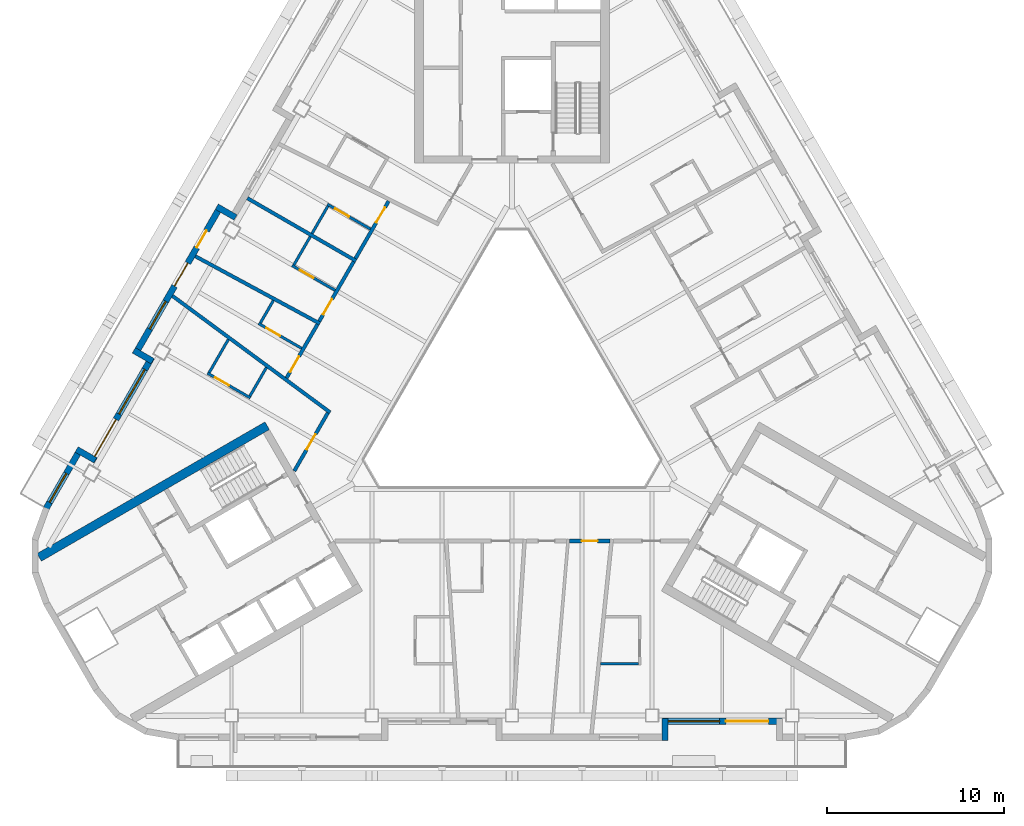
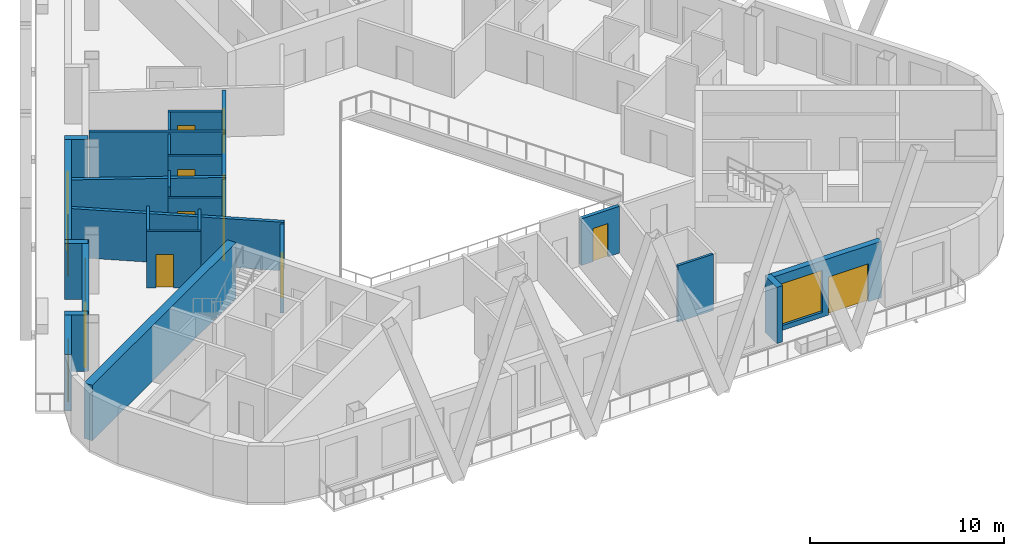
# One storey, part 4 of 14: 27 walls, 13 doors, 4 windows, 17 openings.
"""IFC4 building model written with IfcOpenShell, lengths in metres."""

import ifcopenshell
import ifcopenshell.guid

model = None  # the IFC model being written
_history = None  # IfcOwnerHistory: only IFC2X3 demands one
_inside = {}  # id of a spatial element -> (the spatial element, [elements in it])
_under = {}  # id of a project, library or spatial element -> (it, [spatial elements below it])
_declared = {}  # id of a project -> (the project, [libraries it declares])
_typed = {}  # id of a type object -> (the type object, [elements of that type])
_made_of = {}  # id of a material, layer set ... -> (it, [elements and type objects made of it])


def new_model(schema):
    """Start an empty IFC model of exactly this schema.

    Asked for "IFC4X3", IfcOpenShell would pick the latest addendum, in which some entities
    have other attributes; the version numbers below select the first issue.
    IFC2X3 requires an IfcOwnerHistory on every rooted entity: one is made here for all.
    """
    global model, _history
    if schema == "IFC4X3":
        model = ifcopenshell.file(schema_version=(4, 3, 0, 0))
    else:
        model = ifcopenshell.file(schema=schema)
    _inside.clear()
    _under.clear()
    _declared.clear()
    _typed.clear()
    _made_of.clear()
    _history = None
    if model.schema == "IFC2X3":
        org = make("IfcOrganization", Name="unknown")
        user = make(
            "IfcPersonAndOrganization",
            ThePerson=make("IfcPerson", FamilyName="unknown"),
            TheOrganization=org,
        )
        app = make(
            "IfcApplication",
            ApplicationDeveloper=org,
            Version="unknown",
            ApplicationFullName="unknown",
            ApplicationIdentifier="unknown",
        )
        _history = make(
            "IfcOwnerHistory",
            OwningUser=user,
            OwningApplication=app,
            ChangeAction="ADDED",
            CreationDate=0,
        )
    return model


def make(cls, **values):
    """One entity of the class cls with the attributes given. An attribute that is None is left unset."""
    return model.create_entity(
        cls, **{name: value for name, value in values.items() if value is not None}
    )


def rooted(cls, **values):
    """An entity with a GlobalId (a new one), such as an element, a storey or a relation."""
    return make(cls, GlobalId=ifcopenshell.guid.new(), OwnerHistory=_history, **values)


def si_unit(unit_type, name, prefix=None):
    """IfcSIUnit, for example si_unit("LENGTHUNIT", "METRE", prefix="MILLI")."""
    return make("IfcSIUnit", UnitType=unit_type, Prefix=prefix, Name=name)


def assignment(units):
    """IfcUnitAssignment: the units of a project."""
    return None if units is None else make("IfcUnitAssignment", Units=units)


def point(xyz):
    """IfcCartesianPoint."""
    return None if xyz is None else make("IfcCartesianPoint", Coordinates=xyz)


def direction(xyz):
    """IfcDirection."""
    return None if xyz is None else make("IfcDirection", DirectionRatios=xyz)


def frame(location, z_axis=None, x_axis=None):
    """IfcAxis2Placement3D, a coordinate frame: its origin and axes. An axis left out is left unset."""
    return make(
        "IfcAxis2Placement3D",
        Location=point(location),
        Axis=direction(z_axis),
        RefDirection=direction(x_axis),
    )


def frame_2d(location, x_axis=None):
    """IfcAxis2Placement2D, a coordinate frame in the plane: its origin and x axis."""
    return make(
        "IfcAxis2Placement2D", Location=point(location), RefDirection=direction(x_axis)
    )


def origin():
    """The frame at (0, 0, 0) with its axes left unset."""
    return frame((0.0, 0.0, 0.0))


def place(relative_to, where):
    """IfcLocalPlacement: puts the frame where relative to a parent placement (None: the world)."""
    return make(
        "IfcLocalPlacement", PlacementRelTo=relative_to, RelativePlacement=where
    )


def context(
    kind, dimensions, precision=None, world=None, true_north=None, identifier=None
):
    """IfcGeometricRepresentationContext, for example the 3D "Model" context."""
    return make(
        "IfcGeometricRepresentationContext",
        ContextIdentifier=identifier,
        ContextType=kind,
        CoordinateSpaceDimension=dimensions,
        Precision=precision,
        WorldCoordinateSystem=world,
        TrueNorth=true_north,
    )


def subcontext(parent, identifier, kind, view, scale=None):
    """IfcGeometricRepresentationSubContext, for example "Body" below "Model"."""
    return make(
        "IfcGeometricRepresentationSubContext",
        ContextIdentifier=identifier,
        ContextType=kind,
        ParentContext=parent,
        TargetScale=scale,
        TargetView=view,
    )


def project(units=None, contexts=None):
    """IfcProject with its units and contexts."""
    return rooted(
        "IfcProject",
        Name="project",
        RepresentationContexts=contexts,
        UnitsInContext=assignment(units),
    )


def spatial(cls, under=None, at=None, **own):
    """A site, building, storey or space (cls), placed at a placement, below another one or the project."""
    s = rooted(cls, ObjectPlacement=at, **own)
    if under is not None:
        _under.setdefault(under.id(), (under, []))[1].append(s)
    return s


def profile(cls, at=None, kind="AREA", **sizes):
    """A parametric profile (cls). Its sizes go by their IFC names, for example OverallWidth=200.0."""
    return make(cls, ProfileType=kind, Position=at, **sizes)


def rectangle(**sizes):
    """IfcRectangleProfileDef."""
    return profile("IfcRectangleProfileDef", **sizes)


def extrude(swept, where, along, depth):
    """IfcExtrudedAreaSolid: the profile swept, set in the frame where, extruded along a direction by depth."""
    return make(
        "IfcExtrudedAreaSolid",
        SweptArea=swept,
        Position=where,
        ExtrudedDirection=direction(along),
        Depth=depth,
    )


def shape(context_of_items, identifier, shape_type, items):
    """IfcShapeRepresentation: the items that make up one representation, for example the "Body"."""
    return make(
        "IfcShapeRepresentation",
        ContextOfItems=context_of_items,
        RepresentationIdentifier=identifier,
        RepresentationType=shape_type,
        Items=items,
    )


def material(Name=None, Category=None):
    """IfcMaterial."""
    return make("IfcMaterial", Name=Name, Category=Category)


def layer(
    of_material, thickness, ventilated=None, Name=None, Category=None, Priority=None
):
    """IfcMaterialLayer: one layer of a wall or slab, of a material (None: an air gap)."""
    return make(
        "IfcMaterialLayer",
        Material=of_material,
        LayerThickness=thickness,
        IsVentilated=ventilated,
        Name=Name,
        Category=Category,
        Priority=Priority,
    )


def layer_set(layers, Name=None):
    """IfcMaterialLayerSet."""
    return make("IfcMaterialLayerSet", MaterialLayers=layers, LayerSetName=Name)


def made_of(thing, what):
    """Note that an element or type object is made of a material, layer set ...; save() writes the relation."""
    if what is not None:
        _made_of.setdefault(what.id(), (what, []))[1].append(thing)
    return thing


def type_object(cls, material=None, **own):
    """A type object (cls), such as IfcWallType, which elements share."""
    return made_of(rooted(cls, **own), material)


def element(
    cls,
    number,
    at=None,
    inside=None,
    cuts=None,
    type_object=None,
    material=None,
    context=None,
    identifier="Body",
    shape_type=None,
    held_by="IfcProductDefinitionShape",
    body=None,
    shapes=None,
    **own,
):
    """One element of the class cls, such as IfcWall. Its Tag is "e" and its number.

    at: its placement. inside: the storey or other place that contains it. cuts: it is an
    opening in that element (IfcRelVoidsElement). A single representation is given by context,
    identifier, shape_type and body (its items); several are given by shapes. held_by: the class
    of the entity that holds the representations. save() writes the other relations.
    """
    e = rooted(cls, Tag="e%d" % number, ObjectPlacement=at, **own)
    if body is not None:
        shapes = [shape(context, identifier, shape_type, body)]
    if shapes is not None:
        e.Representation = make(held_by, Representations=shapes)
    if inside is not None:
        _inside.setdefault(inside.id(), (inside, []))[1].append(e)
    if cuts is not None:
        rooted(
            "IfcRelVoidsElement", RelatingBuildingElement=cuts, RelatedOpeningElement=e
        )
    if type_object is not None:
        _typed.setdefault(type_object.id(), (type_object, []))[1].append(e)
    return made_of(e, material)


def fill(opening, filler):
    """IfcRelFillsElement: the door or window that sits in an opening."""
    return rooted(
        "IfcRelFillsElement",
        RelatingOpeningElement=opening,
        RelatedBuildingElement=filler,
    )


def aggregate(whole, parts):
    """IfcRelAggregates: a whole, such as a stair, and the parts it consists of."""
    return rooted("IfcRelAggregates", RelatingObject=whole, RelatedObjects=parts)


def save(model, path):
    """Write the relations noted so far, then the file.

    IfcRelAggregates (storeys below a building ...), IfcRelContainedInSpatialStructure (elements
    in a storey), IfcRelDefinesByType, IfcRelAssociatesMaterial and IfcRelDeclares: one each for
    every whole, place, type object, material and project.
    """
    for whole, parts in _under.values():
        aggregate(whole, parts)
    for where, things in _inside.values():
        rooted(
            "IfcRelContainedInSpatialStructure",
            RelatedElements=things,
            RelatingStructure=where,
        )
    for kind, things in _typed.values():
        rooted("IfcRelDefinesByType", RelatedObjects=things, RelatingType=kind)
    for what, things in _made_of.values():
        rooted("IfcRelAssociatesMaterial", RelatedObjects=things, RelatingMaterial=what)
    for by, libraries in _declared.values():
        rooted("IfcRelDeclares", RelatingContext=by, RelatedDefinitions=libraries)
    model.write(path)


model = new_model("IFC4")

# Units and contexts
model_context = context("Model", 3, precision=1e-05, world=origin(), true_north=direction((0.0, 1.0)))
body_context = subcontext(model_context, "Body", "Model", "MODEL_VIEW")
ifc_project = project(units=[si_unit("LENGTHUNIT", "METRE"), si_unit("AREAUNIT", "SQUARE_METRE"), si_unit("VOLUMEUNIT", "CUBIC_METRE"), si_unit("PLANEANGLEUNIT", "RADIAN"), si_unit("MASSUNIT", "GRAM", prefix="KILO")], contexts=[model_context])

# Site, building, storey
site_placement = place(None, origin())
site = spatial("IfcSite", under=ifc_project, at=site_placement, CompositionType="ELEMENT")
building_placement = place(site_placement, origin())
building = spatial("IfcBuilding", under=site, at=building_placement, Name="Apuvela Tower Hotel", CompositionType="ELEMENT")
storey_placement = place(building_placement, frame((0.0, 0.0, 202.10009765625)))
storey = spatial("IfcBuildingStorey", under=building, at=storey_placement, Name="L49", CompositionType="ELEMENT", Elevation=202.10009765625)

# Walls
ifc_material_1 = material(Name="Concrete C50/60", Category="concrete")
ifc_layer_1 = layer(ifc_material_1, 0.5)
ifc_layer_set_1 = layer_set([ifc_layer_1], Name="COR-WALL-CORE-500")
wall_type_1 = type_object("IfcWallType", Name="COR-WALL-CORE-500", PredefinedType="SHEAR", material=ifc_layer_set_1)
wall_1_placement = place(storey_placement, frame((-13.796630859375, -1.9033203125, 0.0), z_axis=(0.0, 0.0, 1.0), x_axis=(-0.866025009528, -0.500000682871, 0.0)))
element("IfcWall", 1, at=wall_1_placement, inside=storey, type_object=wall_type_1, Name="Core wall SW", PredefinedType="SHEAR", context=body_context, shape_type="SweptSolid", body=[
    extrude(rectangle(XDim=14.8369140625, YDim=0.5, at=frame_2d((7.41845703125, 0.0))), origin(), (0.0, 0.0, 1.0), 3.5),
])
ifc_material_2 = material(Name="Concrete C40/50, dark pigmented precast panel", Category="concrete")
ifc_layer_2 = layer(ifc_material_2, 0.35009765625)
ifc_layer_set_2 = layer_set([ifc_layer_2], Name="ENV-WALL-350")
wall_type_2 = type_object("IfcWallType", Name="ENV-WALL-350", PredefinedType="SOLIDWALL", material=ifc_layer_set_2)
wall_2_placement = place(storey_placement, frame((-15.580810546875, 9.8330078125, 0.0), z_axis=(0.0, 0.0, 1.0), x_axis=(-0.866055662726, 0.499947586314, 0.0)))
element("IfcWall", 2, at=wall_2_placement, inside=storey, type_object=wall_type_2, Name="External wall L49-04", PredefinedType="SOLIDWALL", context=body_context, shape_type="SweptSolid", body=[
    extrude(rectangle(XDim=1.220458984375, YDim=0.35009765625, at=frame_2d((0.6103515625, 0.0))), origin(), (0.0, 0.0, 1.0), 3.5498046875),
])

# Wall, openings, doors, window
wall_3_placement = place(storey_placement, frame((-16.3984375, 10.507080078125, 0.0), z_axis=(0.0, 0.0, 1.0), x_axis=(-0.499999142773, -0.866025898704, 0.0)))
wall_3 = element("IfcWall", 3, at=wall_3_placement, inside=storey, type_object=wall_type_2, Name="External wall L49-05", PredefinedType="SOLIDWALL", context=body_context, shape_type="SweptSolid", body=[
    extrude(rectangle(XDim=9.7001953125, YDim=0.35009765625, at=frame_2d((4.85009765625, 0.0))), origin(), (0.0, 0.0, 1.0), 3.5498046875),
])
opening_1_placement = place(wall_3_placement, frame((1.6376953125, 0.0, 0.0)))
opening_1 = element("IfcOpeningElement", 4, at=opening_1_placement, cuts=wall_3, Name="Opening BD11", PredefinedType="OPENING", context=body_context, shape_type="SweptSolid", body=[
    extrude(rectangle(XDim=1.10009765625, YDim=2.39990234375, at=frame_2d((0.550048828125, 1.199951171875))), frame((0.0, 0.18505859375, 0.0), z_axis=(0.0, -1.0, 0.0), x_axis=(1.0, 0.0, 0.0)), (0.0, 0.0, 1.0), 0.3701171875),
])
opening_2_placement = place(wall_3_placement, frame((3.740234375, 0.0, 0.0)))
opening_2 = element("IfcOpeningElement", 5, at=opening_2_placement, cuts=wall_3, Name="Opening BD15", PredefinedType="OPENING", context=body_context, shape_type="SweptSolid", body=[
    extrude(rectangle(XDim=1.5, YDim=2.39990234375, at=frame_2d((0.75, 1.199951171875))), frame((0.0, 0.18505859375, 0.0), z_axis=(0.0, -1.0, 0.0), x_axis=(1.0, 0.0, 0.0)), (0.0, 0.0, 1.0), 0.3701171875),
])
opening_3_placement = place(wall_3_placement, frame((6.231201171875, 0.0, 0.300048828125)))
opening_3 = element("IfcOpeningElement", 6, at=opening_3_placement, cuts=wall_3, Name="Opening WN18", PredefinedType="OPENING", context=body_context, shape_type="SweptSolid", body=[
    extrude(rectangle(XDim=1.800048828125, YDim=2.64990234375, at=frame_2d((0.89990234375, 1.324951171875))), frame((0.0, 0.18505859375, 0.0), z_axis=(0.0, -1.0, 0.0), x_axis=(1.0, 0.0, 0.0)), (0.0, 0.0, 1.0), 0.3701171875),
])
ifc_material_3 = material(Name="Aluminium 6063-T6, dark bronze anodised frame with dark tinted laminated glass", Category="aluminium")
door_type_1 = type_object("IfcDoorType", Name="ENV-DOOR-BALCONY-1100x2400", OperationType="SLIDING_TO_LEFT", PredefinedType="DOOR", material=ifc_material_3)
door_1_placement = place(opening_1_placement, frame((1.10009765625, 0.0, 0.0), z_axis=(0.0, 0.0, 1.0), x_axis=(-1.0, 0.0, 0.0)))
door_1 = element("IfcDoor", 7, at=door_1_placement, inside=storey, type_object=door_type_1, Name="Balcony door BD11", OperationType="SLIDING_TO_LEFT", OverallHeight=2.39990234375, OverallWidth=1.10009765625, PredefinedType="DOOR", context=body_context, shape_type="SweptSolid", body=[
    extrude(rectangle(XDim=1.10009765625, YDim=2.39990234375, at=frame_2d((0.550048828125, 1.199951171875))), frame((0.0, 0.02490234375, 0.0), z_axis=(0.0, -1.0, 0.0), x_axis=(1.0, 0.0, 0.0)), (0.0, 0.0, 1.0), 0.050048828125),
])
fill(opening_1, door_1)
door_type_2 = type_object("IfcDoorType", Name="ENV-DOOR-BALCONY-1500x2400", OperationType="SLIDING_TO_LEFT", PredefinedType="DOOR", material=ifc_material_3)
door_2_placement = place(opening_2_placement, frame((1.5, 0.0, 0.0), z_axis=(0.0, 0.0, 1.0), x_axis=(-1.0, 0.0, 0.0)))
door_2 = element("IfcDoor", 8, at=door_2_placement, inside=storey, type_object=door_type_2, Name="Balcony door BD15", OperationType="SLIDING_TO_LEFT", OverallHeight=2.39990234375, OverallWidth=1.5, PredefinedType="DOOR", context=body_context, shape_type="SweptSolid", body=[
    extrude(rectangle(XDim=1.5, YDim=2.39990234375, at=frame_2d((0.75, 1.199951171875))), frame((0.0, 0.02490234375, 0.0), z_axis=(0.0, -1.0, 0.0), x_axis=(1.0, 0.0, 0.0)), (0.0, 0.0, 1.0), 0.050048828125),
])
fill(opening_2, door_2)
ifc_material_4 = material(Name="Glass, dark tinted laminated insulated glazing unit", Category="glass")
window_type_1 = type_object("IfcWindowType", Name="ENV-WIN-1800x2650", PartitioningType="SINGLE_PANEL", PredefinedType="WINDOW", material=ifc_material_4)
window_1_placement = place(opening_3_placement, origin())
window_1 = element("IfcWindow", 9, at=window_1_placement, inside=storey, type_object=window_type_1, Name="Window WN18", OverallHeight=2.64990234375, OverallWidth=1.800048828125, PartitioningType="SINGLE_PANEL", PredefinedType="WINDOW", context=body_context, shape_type="SweptSolid", body=[
    extrude(rectangle(XDim=1.800048828125, YDim=2.64990234375, at=frame_2d((0.89990234375, 1.324951171875))), frame((0.0, 0.030029296875, 0.0), z_axis=(0.0, -1.0, 0.0), x_axis=(1.0, 0.0, 0.0)), (0.0, 0.0, 1.0), 0.06005859375),
])
fill(opening_3, window_1)

# Wall
wall_4_placement = place(storey_placement, frame((-21.3125, 2.345703125, 0.0), z_axis=(0.0, 0.0, 1.0), x_axis=(0.866005645448, -0.500034220881, 0.0)))
element("IfcWall", 10, at=wall_4_placement, inside=storey, type_object=wall_type_2, Name="External wall L49-06", PredefinedType="SOLIDWALL", context=body_context, shape_type="SweptSolid", body=[
    extrude(rectangle(XDim=1.22021484375, YDim=0.35009765625, at=frame_2d((0.610107421875, 0.0))), origin(), (0.0, 0.0, 1.0), 3.5498046875),
])

# Wall, openings, door, window
wall_5_placement = place(storey_placement, frame((-20.30908203125, 1.93359375, 0.0), z_axis=(0.0, 0.0, 1.0), x_axis=(-0.499992114976, -0.866029956157, 0.0)))
wall_5 = element("IfcWall", 11, at=wall_5_placement, inside=storey, type_object=wall_type_2, Name="External wall L49-07", PredefinedType="SOLIDWALL", context=body_context, shape_type="SweptSolid", body=[
    extrude(rectangle(XDim=6.73974609375, YDim=0.35009765625, at=frame_2d((3.369873046875, 0.0))), origin(), (0.0, 0.0, 1.0), 3.5498046875),
])
opening_4_placement = place(wall_5_placement, frame((4.02001953125, 0.0, 0.0)))
opening_4 = element("IfcOpeningElement", 12, at=opening_4_placement, cuts=wall_5, Name="Opening BD24", PredefinedType="OPENING", context=body_context, shape_type="SweptSolid", body=[
    extrude(rectangle(XDim=2.39990234375, YDim=2.39990234375, at=frame_2d((1.199951171875, 1.199951171875))), frame((0.0, 0.18505859375, 0.0), z_axis=(0.0, -1.0, 0.0), x_axis=(1.0, 0.0, 0.0)), (0.0, 0.0, 1.0), 0.3701171875),
])
opening_5_placement = place(wall_5_placement, frame((0.77001953125, 0.0, 0.300048828125)))
opening_5 = element("IfcOpeningElement", 13, at=opening_5_placement, cuts=wall_5, Name="Opening WN29", PredefinedType="OPENING", context=body_context, shape_type="SweptSolid", body=[
    extrude(rectangle(XDim=2.89990234375, YDim=2.64990234375, at=frame_2d((1.449951171875, 1.324951171875))), frame((0.0, 0.18505859375, 0.0), z_axis=(0.0, -1.0, 0.0), x_axis=(1.0, 0.0, 0.0)), (0.0, 0.0, 1.0), 0.3701171875),
])
door_type_3 = type_object("IfcDoorType", Name="ENV-DOOR-BALCONY-2400x2400", OperationType="SLIDING_TO_LEFT", PredefinedType="DOOR", material=ifc_material_3)
door_3_placement = place(opening_4_placement, frame((2.39990234375, 0.0, 0.0), z_axis=(0.0, 0.0, 1.0), x_axis=(-1.0, 0.0, 0.0)))
door_3 = element("IfcDoor", 14, at=door_3_placement, inside=storey, type_object=door_type_3, Name="Balcony door BD24", OperationType="SLIDING_TO_LEFT", OverallHeight=2.39990234375, OverallWidth=2.39990234375, PredefinedType="DOOR", context=body_context, shape_type="SweptSolid", body=[
    extrude(rectangle(XDim=2.39990234375, YDim=2.39990234375, at=frame_2d((1.199951171875, 1.199951171875))), frame((0.0, 0.02490234375, 0.0), z_axis=(0.0, -1.0, 0.0), x_axis=(1.0, 0.0, 0.0)), (0.0, 0.0, 1.0), 0.050048828125),
])
fill(opening_4, door_3)
window_type_2 = type_object("IfcWindowType", Name="ENV-WIN-2900x2650", PartitioningType="SINGLE_PANEL", PredefinedType="WINDOW", material=ifc_material_4)
window_2_placement = place(opening_5_placement, origin())
window_2 = element("IfcWindow", 15, at=window_2_placement, inside=storey, type_object=window_type_2, Name="Window WN29", OverallHeight=2.64990234375, OverallWidth=2.89990234375, PartitioningType="SINGLE_PANEL", PredefinedType="WINDOW", context=body_context, shape_type="SweptSolid", body=[
    extrude(rectangle(XDim=2.89990234375, YDim=2.64990234375, at=frame_2d((1.449951171875, 1.324951171875))), frame((0.0, 0.030029296875, 0.0), z_axis=(0.0, -1.0, 0.0), x_axis=(1.0, 0.0, 0.0)), (0.0, 0.0, 1.0), 0.06005859375),
])
fill(opening_5, window_2)

# Wall
wall_6_placement = place(storey_placement, frame((-23.48095703125, -3.85009765625, 0.0), z_axis=(0.0, 0.0, 1.0), x_axis=(-0.866092288191, 0.499884134912, 0.0)))
element("IfcWall", 16, at=wall_6_placement, inside=storey, type_object=wall_type_2, Name="External wall L49-08", PredefinedType="SOLIDWALL", context=body_context, shape_type="SweptSolid", body=[
    extrude(rectangle(XDim=1.219970703125, YDim=0.35009765625, at=frame_2d((0.60986328125, 0.0))), origin(), (0.0, 0.0, 1.0), 3.5498046875),
])

# Wall, opening, window
wall_7_placement = place(storey_placement, frame((-24.298583984375, -3.17626953125, 0.0), z_axis=(0.0, 0.0, 1.0), x_axis=(-0.500028278809, -0.866009076391, 0.0)))
wall_7 = element("IfcWall", 17, at=wall_7_placement, inside=storey, type_object=wall_type_2, Name="External wall L49-09", PredefinedType="SOLIDWALL", context=body_context, shape_type="SweptSolid", body=[
    extrude(rectangle(XDim=3.915771484375, YDim=0.35009765625, at=frame_2d((1.9580078125, 0.0))), origin(), (0.0, 0.0, 1.0), 3.5498046875),
])
opening_6_placement = place(wall_7_placement, frame((1.625, 0.0, 0.300048828125)))
opening_6 = element("IfcOpeningElement", 18, at=opening_6_placement, cuts=wall_7, Name="Opening WN19", PredefinedType="OPENING", context=body_context, shape_type="SweptSolid", body=[
    extrude(rectangle(XDim=1.89990234375, YDim=2.64990234375, at=frame_2d((0.949951171875, 1.324951171875))), frame((0.0, 0.18505859375, 0.0), z_axis=(0.0, -1.0, 0.0), x_axis=(1.0, 0.0, 0.0)), (0.0, 0.0, 1.0), 0.3701171875),
])
window_type_3 = type_object("IfcWindowType", Name="ENV-WIN-1900x2650", PartitioningType="SINGLE_PANEL", PredefinedType="WINDOW", material=ifc_material_4)
window_3_placement = place(opening_6_placement, origin())
window_3 = element("IfcWindow", 19, at=window_3_placement, inside=storey, type_object=window_type_3, Name="Window WN19", OverallHeight=2.64990234375, OverallWidth=1.89990234375, PartitioningType="SINGLE_PANEL", PredefinedType="WINDOW", context=body_context, shape_type="SweptSolid", body=[
    extrude(rectangle(XDim=1.89990234375, YDim=2.64990234375, at=frame_2d((0.949951171875, 1.324951171875))), frame((0.0, 0.030029296875, 0.0), z_axis=(0.0, -1.0, 0.0), x_axis=(1.0, 0.0, 0.0)), (0.0, 0.0, 1.0), 0.06005859375),
])
fill(opening_6, window_3)

# Wall
wall_8_placement = place(storey_placement, frame((8.625, -19.6298828125, 0.0), z_axis=(0.0, 0.0, 1.0), x_axis=(0.0, 1.0, 0.0)))
element("IfcWall", 20, at=wall_8_placement, inside=storey, type_object=wall_type_2, Name="External wall L49-22", PredefinedType="SOLIDWALL", context=body_context, shape_type="SweptSolid", body=[
    extrude(rectangle(XDim=1.219970703125, YDim=0.35009765625, at=frame_2d((0.60986328125, 0.0))), origin(), (0.0, 0.0, 1.0), 3.5498046875),
])

# Wall, openings, door, window
wall_9_placement = place(storey_placement, frame((8.47998046875, -18.554931640625, 0.0), z_axis=(0.0, 0.0, 1.0), x_axis=(1.0, 0.0, 0.0)))
wall_9 = element("IfcWall", 21, at=wall_9_placement, inside=storey, type_object=wall_type_2, Name="External wall L49-23", PredefinedType="SOLIDWALL", context=body_context, shape_type="SweptSolid", body=[
    extrude(rectangle(XDim=6.739990234375, YDim=0.35009765625, at=frame_2d((3.3701171875, 0.0))), origin(), (0.0, 0.0, 1.0), 3.5498046875),
])
opening_7_placement = place(wall_9_placement, frame((3.570068359375, 0.0, 0.0)))
opening_7 = element("IfcOpeningElement", 22, at=opening_7_placement, cuts=wall_9, Name="Opening BD24", PredefinedType="OPENING", context=body_context, shape_type="SweptSolid", body=[
    extrude(rectangle(XDim=2.39990234375, YDim=2.39990234375, at=frame_2d((1.199951171875, 1.199951171875))), frame((0.0, 0.18505859375, 0.0), z_axis=(0.0, -1.0, 0.0), x_axis=(1.0, 0.0, 0.0)), (0.0, 0.0, 1.0), 0.3701171875),
])
opening_8_placement = place(wall_9_placement, frame((0.3203125, 0.0, 0.300048828125)))
opening_8 = element("IfcOpeningElement", 23, at=opening_8_placement, cuts=wall_9, Name="Opening WN29", PredefinedType="OPENING", context=body_context, shape_type="SweptSolid", body=[
    extrude(rectangle(XDim=2.89990234375, YDim=2.64990234375, at=frame_2d((1.449951171875, 1.324951171875))), frame((0.0, 0.18505859375, 0.0), z_axis=(0.0, -1.0, 0.0), x_axis=(1.0, 0.0, 0.0)), (0.0, 0.0, 1.0), 0.3701171875),
])
door_4_placement = place(opening_7_placement, frame((2.39990234375, 0.0, 0.0), z_axis=(0.0, 0.0, 1.0), x_axis=(-1.0, 0.0, 0.0)))
door_4 = element("IfcDoor", 24, at=door_4_placement, inside=storey, type_object=door_type_3, Name="Balcony door BD24", OperationType="SLIDING_TO_LEFT", OverallHeight=2.39990234375, OverallWidth=2.39990234375, PredefinedType="DOOR", context=body_context, shape_type="SweptSolid", body=[
    extrude(rectangle(XDim=2.39990234375, YDim=2.39990234375, at=frame_2d((1.199951171875, 1.199951171875))), frame((0.0, 0.02490234375, 0.0), z_axis=(0.0, -1.0, 0.0), x_axis=(1.0, 0.0, 0.0)), (0.0, 0.0, 1.0), 0.050048828125),
])
fill(opening_7, door_4)
window_4_placement = place(opening_8_placement, origin())
window_4 = element("IfcWindow", 25, at=window_4_placement, inside=storey, type_object=window_type_2, Name="Window WN29", OverallHeight=2.64990234375, OverallWidth=2.89990234375, PartitioningType="SINGLE_PANEL", PredefinedType="WINDOW", context=body_context, shape_type="SweptSolid", body=[
    extrude(rectangle(XDim=2.89990234375, YDim=2.64990234375, at=frame_2d((1.449951171875, 1.324951171875))), frame((0.0, 0.030029296875, 0.0), z_axis=(0.0, -1.0, 0.0), x_axis=(1.0, 0.0, 0.0)), (0.0, 0.0, 1.0), 0.06005859375),
])
fill(opening_8, window_4)

# Walls
ifc_material_5 = material(Name="Gypsum board partition on twin steel stud", Category="steel")
ifc_layer_3 = layer(ifc_material_5, 0.199951171875)
ifc_layer_set_3 = layer_set([ifc_layer_3], Name="GST-PW1")
wall_type_3 = type_object("IfcWallType", Name="GST-PW1", PredefinedType="PARTITIONING", material=ifc_layer_set_3)
wall_10_placement = place(storey_placement, frame((-14.91748046875, 10.922119140625, 0.0), z_axis=(0.0, 0.0, 1.0), x_axis=(0.866019052629, -0.500011000363, 0.0)))
element("IfcWall", 26, at=wall_10_placement, inside=storey, type_object=wall_type_3, Name="L49 partition 08", PredefinedType="PARTITIONING", context=body_context, shape_type="SweptSolid", body=[
    extrude(rectangle(XDim=7.079833984375, YDim=0.199951171875, at=frame_2d((3.5400390625, 0.0))), origin(), (0.0, 0.0, 1.0), 3.059814453125),
])
wall_11_placement = place(storey_placement, frame((-17.846923828125, 7.648193359375, 0.0), z_axis=(0.0, 0.0, 1.0), x_axis=(0.879604495132, -0.475705720109, 0.0)))
element("IfcWall", 27, at=wall_11_placement, inside=storey, type_object=wall_type_3, Name="L49 partition 09", PredefinedType="PARTITIONING", context=body_context, shape_type="SweptSolid", body=[
    extrude(rectangle(XDim=7.983154296875, YDim=0.199951171875, at=frame_2d((3.99169921875, 0.0))), origin(), (0.0, 0.0, 1.0), 3.059814453125),
])
wall_12_placement = place(storey_placement, frame((-19.136962890625, 5.413818359375, 0.0), z_axis=(0.0, 0.0, 1.0), x_axis=(0.804306065669, -0.594215241077, 0.0)))
element("IfcWall", 28, at=wall_12_placement, inside=storey, type_object=wall_type_3, Name="L49 partition 10", PredefinedType="PARTITIONING", context=body_context, shape_type="SweptSolid", body=[
    extrude(rectangle(XDim=11.050048828125, YDim=0.199951171875, at=frame_2d((5.52490234375, 0.0))), origin(), (0.0, 0.0, 1.0), 3.059814453125),
])

# Wall, opening, door
ifc_material_6 = material(Name="Gypsum board corridor wall on twin steel stud, acoustic", Category="steel")
ifc_layer_4 = layer(ifc_material_6, 0.199951171875)
ifc_layer_set_4 = layer_set([ifc_layer_4], Name="GST-PW2")
wall_type_4 = type_object("IfcWallType", Name="GST-PW2", PredefinedType="PARTITIONING", material=ifc_layer_set_4)
wall_13_placement = place(storey_placement, frame((5.510009765625, -8.39990234375, 0.0), z_axis=(0.0, 0.0, 1.0), x_axis=(-1.0, 0.0, 0.0)))
wall_13 = element("IfcWall", 29, at=wall_13_placement, inside=storey, type_object=wall_type_4, Name="L49 partition 20", PredefinedType="PARTITIONING", context=body_context, shape_type="SweptSolid", body=[
    extrude(rectangle(XDim=2.276611328125, YDim=0.199951171875, at=frame_2d((1.13818359375, 0.0))), origin(), (0.0, 0.0, 1.0), 2.949951171875),
])
opening_9_placement = place(wall_13_placement, frame((0.688232421875, 0.0, 0.0)))
opening_9 = element("IfcOpeningElement", 30, at=opening_9_placement, cuts=wall_13, Name="Opening GD19-06", PredefinedType="OPENING", context=body_context, shape_type="SweptSolid", body=[
    extrude(rectangle(XDim=0.89990234375, YDim=2.10009765625, at=frame_2d((0.449951171875, 1.050048828125))), frame((0.0, 0.10986328125, 0.0), z_axis=(0.0, -1.0, 0.0), x_axis=(1.0, 0.0, 0.0)), (0.0, 0.0, 1.0), 0.219970703125),
])
ifc_material_7 = material(Name="Timber door leaf in steel frame", Category="steel")
door_type_4 = type_object("IfcDoorType", Name="GST-D2", OperationType="NOTDEFINED", PredefinedType="DOOR", material=ifc_material_7)
door_5_placement = place(opening_9_placement, origin())
door_5 = element("IfcDoor", 31, at=door_5_placement, inside=storey, type_object=door_type_4, Name="Door L49-06", OperationType="SINGLE_SWING_RIGHT", OverallHeight=2.10009765625, OverallWidth=0.89990234375, PredefinedType="DOOR", context=body_context, shape_type="SweptSolid", body=[
    extrude(rectangle(XDim=0.89990234375, YDim=2.10009765625, at=frame_2d((0.449951171875, 1.050048828125))), frame((0.0, 0.02490234375, 0.0), z_axis=(0.0, -1.0, 0.0), x_axis=(1.0, 0.0, 0.0)), (0.0, 0.0, 1.0), 0.050048828125),
])
fill(opening_9, door_5)

wall_14_placement = place(storey_placement, frame((-8.82275390625, 7.518798828125, 0.0), z_axis=(0.0, 0.0, 1.0), x_axis=(0.500026055714, 0.866010359988, 0.0)))
wall_14 = element("IfcWall", 32, at=wall_14_placement, inside=storey, type_object=wall_type_4, Name="L49 partition 43", PredefinedType="PARTITIONING", context=body_context, shape_type="SweptSolid", body=[
    extrude(rectangle(XDim=3.735595703125, YDim=0.199951171875, at=frame_2d((1.86767578125, 0.0))), origin(), (0.0, 0.0, 1.0), 2.949951171875),
])
opening_10_placement = place(wall_14_placement, frame((2.335693359375, 0.0, 0.0)))
opening_10 = element("IfcOpeningElement", 33, at=opening_10_placement, cuts=wall_14, Name="Opening GD19-20", PredefinedType="OPENING", context=body_context, shape_type="SweptSolid", body=[
    extrude(rectangle(XDim=1.0, YDim=2.10009765625, at=frame_2d((0.5, 1.050048828125))), frame((0.0, 0.10986328125, 0.0), z_axis=(0.0, -1.0, 0.0), x_axis=(1.0, 0.0, 0.0)), (0.0, 0.0, 1.0), 0.219970703125),
])
door_type_5 = type_object("IfcDoorType", Name="GST-D1", OperationType="NOTDEFINED", PredefinedType="DOOR", material=ifc_material_7)
door_6_placement = place(opening_10_placement, origin())
door_6 = element("IfcDoor", 34, at=door_6_placement, inside=storey, type_object=door_type_5, Name="Door L49-20", OperationType="SINGLE_SWING_RIGHT", OverallHeight=2.10009765625, OverallWidth=1.0, PredefinedType="DOOR", context=body_context, shape_type="SweptSolid", body=[
    extrude(rectangle(XDim=1.0, YDim=2.10009765625, at=frame_2d((0.5, 1.050048828125))), frame((0.0, 0.02490234375, 0.0), z_axis=(0.0, -1.0, 0.0), x_axis=(1.0, 0.0, 0.0)), (0.0, 0.0, 1.0), 0.050048828125),
])
fill(opening_10, door_6)

wall_15_placement = place(storey_placement, frame((-10.863037109375, 3.984619140625, 0.0), z_axis=(0.0, 0.0, 1.0), x_axis=(0.500009256921, 0.866020059232, 0.0)))
wall_15 = element("IfcWall", 35, at=wall_15_placement, inside=storey, type_object=wall_type_4, Name="L49 partition 46", PredefinedType="PARTITIONING", context=body_context, shape_type="SweptSolid", body=[
    extrude(rectangle(XDim=3.880859375, YDim=0.199951171875, at=frame_2d((1.9404296875, 0.0))), origin(), (0.0, 0.0, 1.0), 2.949951171875),
])
opening_11_placement = place(wall_15_placement, frame((0.440185546875, 0.0, 0.0)))
opening_11 = element("IfcOpeningElement", 36, at=opening_11_placement, cuts=wall_15, Name="Opening GD19-22", PredefinedType="OPENING", context=body_context, shape_type="SweptSolid", body=[
    extrude(rectangle(XDim=1.0, YDim=2.10009765625, at=frame_2d((0.5, 1.050048828125))), frame((0.0, 0.10986328125, 0.0), z_axis=(0.0, -1.0, 0.0), x_axis=(1.0, 0.0, 0.0)), (0.0, 0.0, 1.0), 0.219970703125),
])
door_7_placement = place(opening_11_placement, origin())
door_7 = element("IfcDoor", 37, at=door_7_placement, inside=storey, type_object=door_type_5, Name="Door L49-22", OperationType="SINGLE_SWING_LEFT", OverallHeight=2.10009765625, OverallWidth=1.0, PredefinedType="DOOR", context=body_context, shape_type="SweptSolid", body=[
    extrude(rectangle(XDim=1.0, YDim=2.10009765625, at=frame_2d((0.5, 1.050048828125))), frame((0.0, 0.02490234375, 0.0), z_axis=(0.0, -1.0, 0.0), x_axis=(1.0, 0.0, 0.0)), (0.0, 0.0, 1.0), 0.050048828125),
])
fill(opening_11, door_7)

wall_16_placement = place(storey_placement, frame((-12.708251953125, 0.78857421875, 0.0), z_axis=(0.0, 0.0, 1.0), x_axis=(0.49999088835, 0.866030664334, 0.0)))
wall_16 = element("IfcWall", 38, at=wall_16_placement, inside=storey, type_object=wall_type_4, Name="L49 partition 49", PredefinedType="PARTITIONING", context=body_context, shape_type="SweptSolid", body=[
    extrude(rectangle(XDim=3.490234375, YDim=0.199951171875, at=frame_2d((1.7451171875, 0.0))), origin(), (0.0, 0.0, 1.0), 2.949951171875),
])
opening_12_placement = place(wall_16_placement, frame((0.39990234375, 0.0, 0.0)))
opening_12 = element("IfcOpeningElement", 39, at=opening_12_placement, cuts=wall_16, Name="Opening GD19-24", PredefinedType="OPENING", context=body_context, shape_type="SweptSolid", body=[
    extrude(rectangle(XDim=1.0, YDim=2.10009765625, at=frame_2d((0.5, 1.050048828125))), frame((0.0, 0.10986328125, 0.0), z_axis=(0.0, -1.0, 0.0), x_axis=(1.0, 0.0, 0.0)), (0.0, 0.0, 1.0), 0.219970703125),
])
door_8_placement = place(opening_12_placement, origin())
door_8 = element("IfcDoor", 40, at=door_8_placement, inside=storey, type_object=door_type_5, Name="Door L49-24", OperationType="SINGLE_SWING_LEFT", OverallHeight=2.10009765625, OverallWidth=1.0, PredefinedType="DOOR", context=body_context, shape_type="SweptSolid", body=[
    extrude(rectangle(XDim=1.0, YDim=2.10009765625, at=frame_2d((0.5, 1.050048828125))), frame((0.0, 0.02490234375, 0.0), z_axis=(0.0, -1.0, 0.0), x_axis=(1.0, 0.0, 0.0)), (0.0, 0.0, 1.0), 0.050048828125),
])
fill(opening_12, door_8)

wall_17_placement = place(storey_placement, frame((-12.268798828125, -4.449951171875, 0.0), z_axis=(0.0, 0.0, 1.0), x_axis=(0.500019063067, 0.866014397438, 0.0)))
wall_17 = element("IfcWall", 41, at=wall_17_placement, inside=storey, type_object=wall_type_4, Name="L49 partition 52", PredefinedType="PARTITIONING", context=body_context, shape_type="SweptSolid", body=[
    extrude(rectangle(XDim=3.776123046875, YDim=0.199951171875, at=frame_2d((1.88818359375, 0.0))), origin(), (0.0, 0.0, 1.0), 2.949951171875),
])
opening_13_placement = place(wall_17_placement, frame((1.38818359375, 0.0, 0.0)))
opening_13 = element("IfcOpeningElement", 42, at=opening_13_placement, cuts=wall_17, Name="Opening GD19-26", PredefinedType="OPENING", context=body_context, shape_type="SweptSolid", body=[
    extrude(rectangle(XDim=1.0, YDim=2.10009765625, at=frame_2d((0.5, 1.050048828125))), frame((0.0, 0.10986328125, 0.0), z_axis=(0.0, -1.0, 0.0), x_axis=(1.0, 0.0, 0.0)), (0.0, 0.0, 1.0), 0.219970703125),
])
door_9_placement = place(opening_13_placement, origin())
door_9 = element("IfcDoor", 43, at=door_9_placement, inside=storey, type_object=door_type_5, Name="Door L49-26", OperationType="SINGLE_SWING_RIGHT", OverallHeight=2.10009765625, OverallWidth=1.0, PredefinedType="DOOR", context=body_context, shape_type="SweptSolid", body=[
    extrude(rectangle(XDim=1.0, YDim=2.10009765625, at=frame_2d((0.5, 1.050048828125))), frame((0.0, 0.02490234375, 0.0), z_axis=(0.0, -1.0, 0.0), x_axis=(1.0, 0.0, 0.0)), (0.0, 0.0, 1.0), 0.050048828125),
])
fill(opening_13, door_9)

# Wall
ifc_material_8 = material(Name="Moisture-resistant gypsum board wet wall on steel stud", Category="steel")
ifc_layer_5 = layer(ifc_material_8, 0.14990234375)
ifc_layer_set_5 = layer_set([ifc_layer_5], Name="GST-PW3")
wall_type_5 = type_object("IfcWallType", Name="GST-PW3", PredefinedType="PARTITIONING", material=ifc_layer_set_5)
wall_18_placement = place(storey_placement, frame((4.991455078125, -15.324951171875, 0.0), z_axis=(0.0, 0.0, 1.0), x_axis=(1.0, 0.0, 0.0)))
element("IfcWall", 44, at=wall_18_placement, inside=storey, type_object=wall_type_5, Name="L49 partition 23", PredefinedType="PARTITIONING", context=body_context, shape_type="SweptSolid", body=[
    extrude(rectangle(XDim=2.133056640625, YDim=0.14990234375, at=frame_2d((1.06640625, 0.0))), origin(), (0.0, 0.0, 1.0), 3.5498046875),
])

# Wall, opening, door
wall_19_placement = place(storey_placement, frame((-7.97900390625, 9.18017578125, 0.0), z_axis=(0.0, 0.0, 1.0), x_axis=(-0.866034573852, 0.49998411664, 0.0)))
wall_19 = element("IfcWall", 45, at=wall_19_placement, inside=storey, type_object=wall_type_5, Name="L49 partition 44", PredefinedType="PARTITIONING", context=body_context, shape_type="SweptSolid", body=[
    extrude(rectangle(XDim=2.7998046875, YDim=0.14990234375, at=frame_2d((1.39990234375, 0.0))), origin(), (0.0, 0.0, 1.0), 2.949951171875),
])
opening_14_placement = place(wall_19_placement, frame((1.39990234375, 0.0, 0.0)))
opening_14 = element("IfcOpeningElement", 46, at=opening_14_placement, cuts=wall_19, Name="Opening GD19-19", PredefinedType="OPENING", context=body_context, shape_type="SweptSolid", body=[
    extrude(rectangle(XDim=0.89990234375, YDim=2.10009765625, at=frame_2d((0.449951171875, 1.050048828125))), frame((0.0, 0.0849609375, 0.0), z_axis=(0.0, -1.0, 0.0), x_axis=(1.0, 0.0, 0.0)), (0.0, 0.0, 1.0), 0.169921875),
])
door_10_placement = place(opening_14_placement, origin())
door_10 = element("IfcDoor", 47, at=door_10_placement, inside=storey, type_object=door_type_4, Name="Door L49-19", OperationType="SINGLE_SWING_RIGHT", OverallHeight=2.10009765625, OverallWidth=0.89990234375, PredefinedType="DOOR", context=body_context, shape_type="SweptSolid", body=[
    extrude(rectangle(XDim=0.89990234375, YDim=2.10009765625, at=frame_2d((0.449951171875, 1.050048828125))), frame((0.0, 0.02490234375, 0.0), z_axis=(0.0, -1.0, 0.0), x_axis=(1.0, 0.0, 0.0)), (0.0, 0.0, 1.0), 0.050048828125),
])
fill(opening_14, door_10)

# Wall
wall_20_placement = place(storey_placement, frame((-10.376220703125, 10.4775390625, 0.0), z_axis=(0.0, 0.0, 1.0), x_axis=(-0.500109033781, -0.865962443949, 0.0)))
element("IfcWall", 48, at=wall_20_placement, inside=storey, type_object=wall_type_5, Name="L49 partition 45", PredefinedType="PARTITIONING", context=body_context, shape_type="SweptSolid", body=[
    extrude(rectangle(XDim=1.78564453125, YDim=0.14990234375, at=frame_2d((0.892822265625, 0.0))), origin(), (0.0, 0.0, 1.0), 2.949951171875),
])

# Wall, opening, door
wall_21_placement = place(storey_placement, frame((-12.396728515625, 7.12841796875, 0.0), z_axis=(0.0, 0.0, 1.0), x_axis=(0.866018616679, -0.500011755427, 0.0)))
wall_21 = element("IfcWall", 49, at=wall_21_placement, inside=storey, type_object=wall_type_5, Name="L49 partition 47", PredefinedType="PARTITIONING", context=body_context, shape_type="SweptSolid", body=[
    extrude(rectangle(XDim=2.80029296875, YDim=0.14990234375, at=frame_2d((1.400146484375, 0.0))), origin(), (0.0, 0.0, 1.0), 2.949951171875),
])
opening_15_placement = place(wall_21_placement, frame((0.5, 0.0, 0.0)))
opening_15 = element("IfcOpeningElement", 50, at=opening_15_placement, cuts=wall_21, Name="Opening GD19-21", PredefinedType="OPENING", context=body_context, shape_type="SweptSolid", body=[
    extrude(rectangle(XDim=0.89990234375, YDim=2.10009765625, at=frame_2d((0.449951171875, 1.050048828125))), frame((0.0, 0.0849609375, 0.0), z_axis=(0.0, -1.0, 0.0), x_axis=(1.0, 0.0, 0.0)), (0.0, 0.0, 1.0), 0.169921875),
])
door_11_placement = place(opening_15_placement, origin())
door_11 = element("IfcDoor", 51, at=door_11_placement, inside=storey, type_object=door_type_4, Name="Door L49-21", OperationType="SINGLE_SWING_LEFT", OverallHeight=2.10009765625, OverallWidth=0.89990234375, PredefinedType="DOOR", context=body_context, shape_type="SweptSolid", body=[
    extrude(rectangle(XDim=0.89990234375, YDim=2.10009765625, at=frame_2d((0.449951171875, 1.050048828125))), frame((0.0, 0.02490234375, 0.0), z_axis=(0.0, -1.0, 0.0), x_axis=(1.0, 0.0, 0.0)), (0.0, 0.0, 1.0), 0.050048828125),
])
fill(opening_15, door_11)

# Wall
wall_22_placement = place(storey_placement, frame((-11.369140625, 8.7578125, 0.0), z_axis=(0.0, 0.0, 1.0), x_axis=(-0.500042316284, -0.866000971088, 0.0)))
element("IfcWall", 52, at=wall_22_placement, inside=storey, type_object=wall_type_5, Name="L49 partition 48", PredefinedType="PARTITIONING", context=body_context, shape_type="SweptSolid", body=[
    extrude(rectangle(XDim=1.849853515625, YDim=0.14990234375, at=frame_2d((0.9248046875, 0.0))), origin(), (0.0, 0.0, 1.0), 2.949951171875),
])

# Wall, opening, door
wall_23_placement = place(storey_placement, frame((-14.28369140625, 3.860107421875, 0.0), z_axis=(0.0, 0.0, 1.0), x_axis=(0.865996816683, -0.500049511043, 0.0)))
wall_23 = element("IfcWall", 53, at=wall_23_placement, inside=storey, type_object=wall_type_5, Name="L49 partition 50", PredefinedType="PARTITIONING", context=body_context, shape_type="SweptSolid", body=[
    extrude(rectangle(XDim=2.800048828125, YDim=0.14990234375, at=frame_2d((1.39990234375, 0.0))), origin(), (0.0, 0.0, 1.0), 2.949951171875),
])
opening_16_placement = place(wall_23_placement, frame((0.5, 0.0, 0.0)))
opening_16 = element("IfcOpeningElement", 54, at=opening_16_placement, cuts=wall_23, Name="Opening GD19-23", PredefinedType="OPENING", context=body_context, shape_type="SweptSolid", body=[
    extrude(rectangle(XDim=0.89990234375, YDim=2.10009765625, at=frame_2d((0.449951171875, 1.050048828125))), frame((0.0, 0.0849609375, 0.0), z_axis=(0.0, -1.0, 0.0), x_axis=(1.0, 0.0, 0.0)), (0.0, 0.0, 1.0), 0.169921875),
])
door_12_placement = place(opening_16_placement, origin())
door_12 = element("IfcDoor", 55, at=door_12_placement, inside=storey, type_object=door_type_4, Name="Door L49-23", OperationType="SINGLE_SWING_LEFT", OverallHeight=2.10009765625, OverallWidth=0.89990234375, PredefinedType="DOOR", context=body_context, shape_type="SweptSolid", body=[
    extrude(rectangle(XDim=0.89990234375, YDim=2.10009765625, at=frame_2d((0.449951171875, 1.050048828125))), frame((0.0, 0.02490234375, 0.0), z_axis=(0.0, -1.0, 0.0), x_axis=(1.0, 0.0, 0.0)), (0.0, 0.0, 1.0), 0.050048828125),
])
fill(opening_16, door_12)

# Wall
wall_24_placement = place(storey_placement, frame((-13.448974609375, 5.15576171875, 0.0), z_axis=(0.0, 0.0, 1.0), x_axis=(-0.499958157915, -0.866049559976, 0.0)))
element("IfcWall", 56, at=wall_24_placement, inside=storey, type_object=wall_type_5, Name="L49 partition 51", PredefinedType="PARTITIONING", context=body_context, shape_type="SweptSolid", body=[
    extrude(rectangle(XDim=1.464599609375, YDim=0.14990234375, at=frame_2d((0.732421875, 0.0))), origin(), (0.0, 0.0, 1.0), 3.5498046875),
])

# Wall, opening, door
wall_25_placement = place(storey_placement, frame((-17.16748046875, 1.064697265625, 0.0), z_axis=(0.0, 0.0, 1.0), x_axis=(0.866034573852, -0.49998411664, 0.0)))
wall_25 = element("IfcWall", 57, at=wall_25_placement, inside=storey, type_object=wall_type_5, Name="L49 partition 53", PredefinedType="PARTITIONING", context=body_context, shape_type="SweptSolid", body=[
    extrude(rectangle(XDim=2.7998046875, YDim=0.14990234375, at=frame_2d((1.39990234375, 0.0))), origin(), (0.0, 0.0, 1.0), 3.5498046875),
])
opening_17_placement = place(wall_25_placement, frame((0.5, 0.0, 0.0)))
opening_17 = element("IfcOpeningElement", 58, at=opening_17_placement, cuts=wall_25, Name="Opening GD19-25", PredefinedType="OPENING", context=body_context, shape_type="SweptSolid", body=[
    extrude(rectangle(XDim=0.89990234375, YDim=2.10009765625, at=frame_2d((0.449951171875, 1.050048828125))), frame((0.0, 0.0849609375, 0.0), z_axis=(0.0, -1.0, 0.0), x_axis=(1.0, 0.0, 0.0)), (0.0, 0.0, 1.0), 0.169921875),
])
door_13_placement = place(opening_17_placement, origin())
door_13 = element("IfcDoor", 59, at=door_13_placement, inside=storey, type_object=door_type_4, Name="Door L49-25", OperationType="SINGLE_SWING_LEFT", OverallHeight=2.10009765625, OverallWidth=0.89990234375, PredefinedType="DOOR", context=body_context, shape_type="SweptSolid", body=[
    extrude(rectangle(XDim=0.89990234375, YDim=2.10009765625, at=frame_2d((0.449951171875, 1.050048828125))), frame((0.0, 0.02490234375, 0.0), z_axis=(0.0, -1.0, 0.0), x_axis=(1.0, 0.0, 0.0)), (0.0, 0.0, 1.0), 0.050048828125),
])
fill(opening_17, door_13)

# Walls
wall_26_placement = place(storey_placement, frame((-15.986083984375, 2.96142578125, 0.0), z_axis=(0.0, 0.0, 1.0), x_axis=(-0.499983569942, -0.866034889475, 0.0)))
element("IfcWall", 60, at=wall_26_placement, inside=storey, type_object=wall_type_5, Name="L49 partition 54", PredefinedType="PARTITIONING", context=body_context, shape_type="SweptSolid", body=[
    extrude(rectangle(XDim=2.158203125, YDim=0.14990234375, at=frame_2d((1.0791015625, 0.0))), origin(), (0.0, 0.0, 1.0), 3.5498046875),
])
wall_27_placement = place(storey_placement, frame((-13.8408203125, 1.376708984375, 0.0), z_axis=(0.0, 0.0, 1.0), x_axis=(-0.500109064886, -0.865962425986, 0.0)))
element("IfcWall", 61, at=wall_27_placement, inside=storey, type_object=wall_type_5, Name="L49 partition 55", PredefinedType="PARTITIONING", context=body_context, shape_type="SweptSolid", body=[
    extrude(rectangle(XDim=1.8583984375, YDim=0.14990234375, at=frame_2d((0.92919921875, 0.0))), origin(), (0.0, 0.0, 1.0), 3.5498046875),
])

save(model, "model.ifc")
